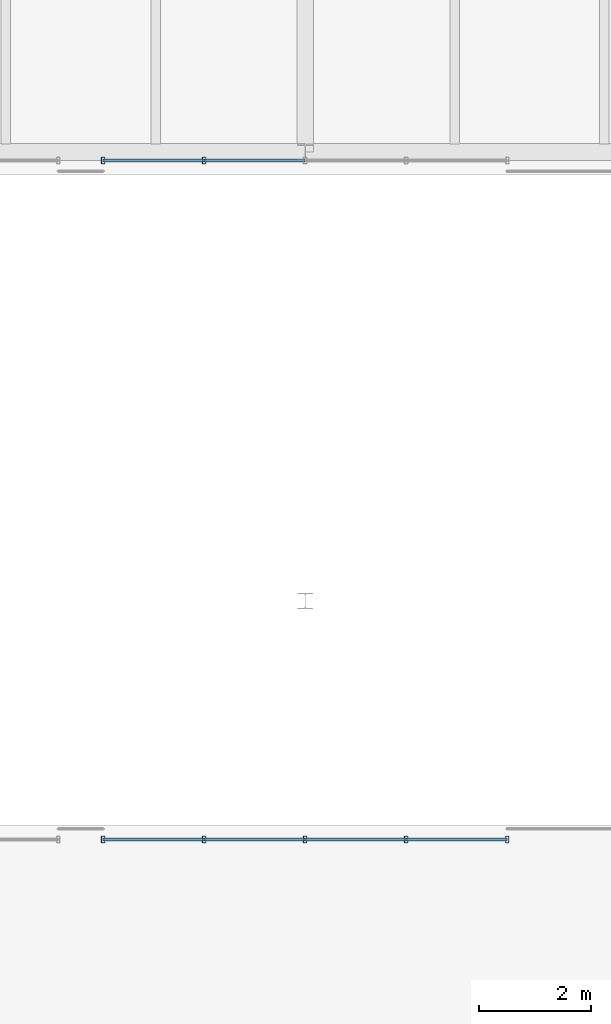
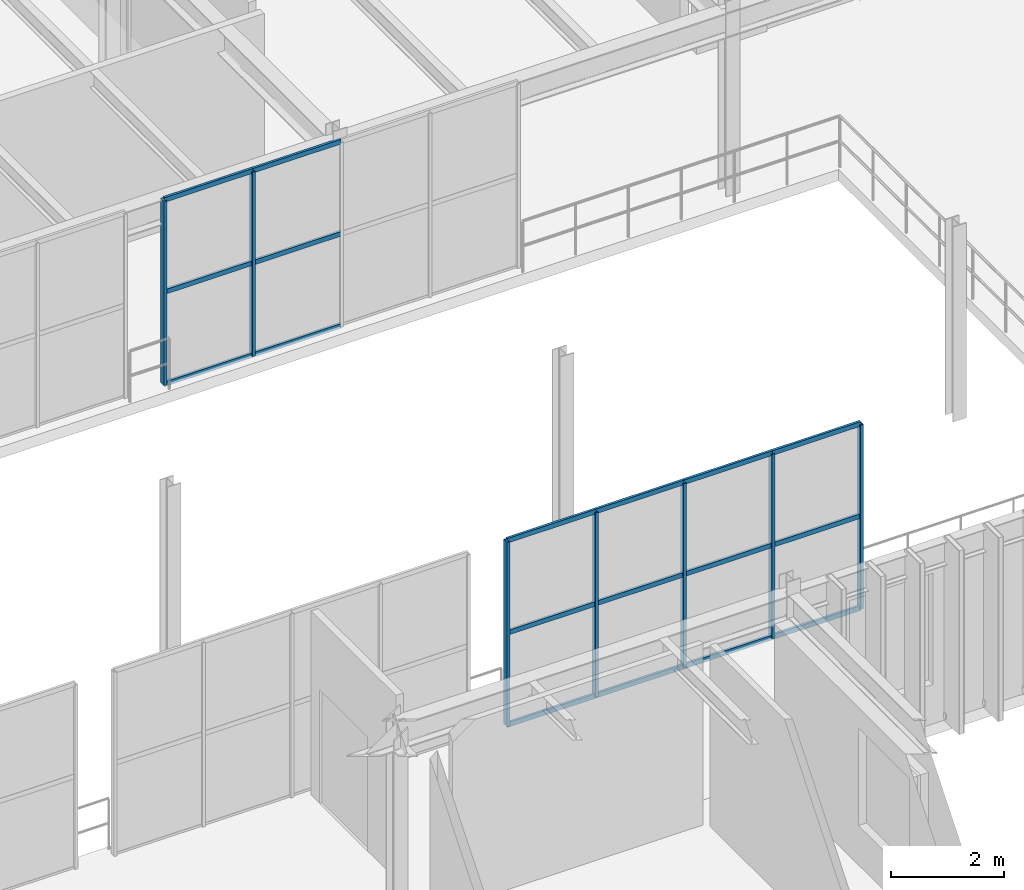
# One storey, part 47 of 122: 25 members, 2 elements without a shape of their own.
"""IFC4 building model written with IfcOpenShell, lengths in metres."""

from ifc_helpers import new_model, si_unit, direction, frame, origin, origin_2d, place, context, subcontext, project, spatial, hollow_rectangle, extrude, material, material_profile, profile_set, type_object, element, aggregate, save


model = new_model("IFC4")

# Units and contexts
model_context = context("Model", 3, precision=1e-05, world=origin(), true_north=direction((0.0, 1.0)))
body_context = subcontext(model_context, "Body", "Model", "MODEL_VIEW")
ifc_project = project(units=[si_unit("LENGTHUNIT", "METRE"), si_unit("AREAUNIT", "SQUARE_METRE"), si_unit("VOLUMEUNIT", "CUBIC_METRE"), si_unit("PLANEANGLEUNIT", "RADIAN"), si_unit("MASSUNIT", "GRAM", prefix="KILO")], contexts=[model_context])

# Site, building, storey
site_placement = place(None, origin())
site = spatial("IfcSite", under=ifc_project, at=site_placement, CompositionType="ELEMENT")
building_placement = place(site_placement, origin())
building = spatial("IfcBuilding", under=site, at=building_placement, Name="Sundkrona Museum", CompositionType="ELEMENT")
storey_placement = place(building_placement, frame((0.0, 0.0, 5.39990234375)))
storey = spatial("IfcBuildingStorey", under=building, at=storey_placement, Name="L01", CompositionType="ELEMENT", Elevation=5.39990234375)

# Curtain wall, members
ifc_material_1 = material(Name="Unitised Aluminium-Steel and Ceramic-Clad Curtain Walling", Category="steel")
curtain_wall_type = type_object("IfcCurtainWallType", Name="CW-CL-64x38", PredefinedType="NOTDEFINED", material=ifc_material_1)
curtain_wall_1_placement = place(storey_placement, origin())
curtain_wall_1 = element("IfcCurtainWall", 1, at=curtain_wall_1_placement, inside=storey, type_object=curtain_wall_type, Name="L01 Curtain Wall CW-L01-128", PredefinedType="NOTDEFINED")
ifc_material_2 = material(Name="Aluminium EN AW-6060 T66", Category="aluminium")
ifc_material_profile_1 = material_profile(ifc_material_2, hollow_rectangle(XDim=0.06005859375, YDim=0.1201171875, WallThickness=0.0048828125, at=origin_2d()), Name="RHS 120x60x5.0")
ifc_profile_set_1 = profile_set([ifc_material_profile_1], Name="Aluminium EN AW-6060 T66")
member_type_1 = type_object("IfcMemberType", Name="ML-120", PredefinedType="MULLION", material=ifc_profile_set_1)
member_1_placement = place(storey_placement, frame((36.39990234375, 81.75, -0.00390625), z_axis=(0.0, 0.0, 1.0), x_axis=(1.0, 0.0, 0.0)))
member_1 = element("IfcMember", 2, at=member_1_placement, type_object=member_type_1, Name="CW-L01-128 Mullion 01", PredefinedType="MULLION", context=body_context, shape_type="SweptSolid", body=[
    extrude(hollow_rectangle(XDim=0.06005859375, YDim=0.1201171875, WallThickness=0.0048828125, at=origin_2d()), origin(), (0.0, 0.0, 1.0), 3.968017578125),
])
member_2_placement = place(storey_placement, frame((38.199951171875, 81.75, -0.00390625), z_axis=(0.0, 0.0, 1.0), x_axis=(1.0, 0.0, 0.0)))
member_2 = element("IfcMember", 3, at=member_2_placement, type_object=member_type_1, Name="CW-L01-128 Mullion 02", PredefinedType="MULLION", context=body_context, shape_type="SweptSolid", body=[
    extrude(hollow_rectangle(XDim=0.06005859375, YDim=0.1201171875, WallThickness=0.0048828125, at=origin_2d()), origin(), (0.0, 0.0, 1.0), 3.968017578125),
])
member_3_placement = place(storey_placement, frame((40.0, 81.75, -0.00390625), z_axis=(0.0, 0.0, 1.0), x_axis=(1.0, 0.0, 0.0)))
member_3 = element("IfcMember", 4, at=member_3_placement, type_object=member_type_1, Name="CW-L01-128 Mullion 03", PredefinedType="MULLION", context=body_context, shape_type="SweptSolid", body=[
    extrude(hollow_rectangle(XDim=0.06005859375, YDim=0.1201171875, WallThickness=0.0048828125, at=origin_2d()), origin(), (0.0, 0.0, 1.0), 3.968017578125),
])
member_4_placement = place(storey_placement, frame((41.800048828125, 81.75, -0.00390625), z_axis=(0.0, 0.0, 1.0), x_axis=(1.0, 0.0, 0.0)))
member_4 = element("IfcMember", 5, at=member_4_placement, type_object=member_type_1, Name="CW-L01-128 Mullion 04", PredefinedType="MULLION", context=body_context, shape_type="SweptSolid", body=[
    extrude(hollow_rectangle(XDim=0.06005859375, YDim=0.1201171875, WallThickness=0.0048828125, at=origin_2d()), origin(), (0.0, 0.0, 1.0), 3.968017578125),
])
member_5_placement = place(storey_placement, frame((43.60009765625, 81.75, -0.00390625), z_axis=(0.0, 0.0, 1.0), x_axis=(1.0, 0.0, 0.0)))
member_5 = element("IfcMember", 6, at=member_5_placement, type_object=member_type_1, Name="CW-L01-128 Mullion 05", PredefinedType="MULLION", context=body_context, shape_type="SweptSolid", body=[
    extrude(hollow_rectangle(XDim=0.06005859375, YDim=0.1201171875, WallThickness=0.0048828125, at=origin_2d()), origin(), (0.0, 0.0, 1.0), 3.968017578125),
])

curtain_wall_2_placement = place(storey_placement, origin())
curtain_wall_2 = element("IfcCurtainWall", 7, at=curtain_wall_2_placement, inside=storey, type_object=curtain_wall_type, Name="L01 Curtain Wall CW-L01-129", PredefinedType="NOTDEFINED")
member_6_placement = place(storey_placement, frame((36.39990234375, 93.85009765625, -0.00390625), z_axis=(0.0, 0.0, 1.0), x_axis=(1.0, 0.0, 0.0)))
member_6 = element("IfcMember", 8, at=member_6_placement, type_object=member_type_1, Name="CW-L01-129 Mullion 01", PredefinedType="MULLION", context=body_context, shape_type="SweptSolid", body=[
    extrude(hollow_rectangle(XDim=0.06005859375, YDim=0.1201171875, WallThickness=0.0048828125, at=origin_2d()), origin(), (0.0, 0.0, 1.0), 3.968017578125),
])
member_7_placement = place(storey_placement, frame((38.199951171875, 93.85009765625, -0.00390625), z_axis=(0.0, 0.0, 1.0), x_axis=(1.0, 0.0, 0.0)))
member_7 = element("IfcMember", 9, at=member_7_placement, type_object=member_type_1, Name="CW-L01-129 Mullion 02", PredefinedType="MULLION", context=body_context, shape_type="SweptSolid", body=[
    extrude(hollow_rectangle(XDim=0.06005859375, YDim=0.1201171875, WallThickness=0.0048828125, at=origin_2d()), origin(), (0.0, 0.0, 1.0), 3.968017578125),
])

# Member
ifc_material_profile_2 = material_profile(ifc_material_2, hollow_rectangle(XDim=0.050048828125, YDim=0.10009765625, WallThickness=0.0048828125, at=origin_2d()), Name="RHS 100x50x5.0")
ifc_profile_set_2 = profile_set([ifc_material_profile_2], Name="Aluminium EN AW-6060 T66")
member_type_2 = type_object("IfcMemberType", Name="TR-100", PredefinedType="USERDEFINED", material=ifc_profile_set_2)
member_8_placement = place(storey_placement, frame((36.39990234375, 81.75, -0.00390625), z_axis=(1.0, 0.0, 0.0), x_axis=(0.0, 1.0, 0.0)))
member_8 = element("IfcMember", 10, at=member_8_placement, type_object=member_type_2, Name="CW-L01-128 Transom 01", ObjectType="TRANSOM", PredefinedType="USERDEFINED", context=body_context, shape_type="SweptSolid", body=[
    extrude(hollow_rectangle(XDim=0.050048828125, YDim=0.10009765625, WallThickness=0.0048828125, at=origin_2d()), origin(), (0.0, 0.0, 1.0), 1.800048828125),
])

member_9_placement = place(storey_placement, frame((36.39990234375, 81.75, 1.97998046875), z_axis=(1.0, 0.0, 0.0), x_axis=(0.0, 1.0, 0.0)))
member_9 = element("IfcMember", 11, at=member_9_placement, type_object=member_type_2, Name="CW-L01-128 Transom 02", ObjectType="TRANSOM", PredefinedType="USERDEFINED", context=body_context, shape_type="SweptSolid", body=[
    extrude(hollow_rectangle(XDim=0.050048828125, YDim=0.10009765625, WallThickness=0.0048828125, at=origin_2d()), origin(), (0.0, 0.0, 1.0), 1.800048828125),
])

member_10_placement = place(storey_placement, frame((36.39990234375, 81.75, 3.964111328125), z_axis=(1.0, 0.0, 0.0), x_axis=(0.0, 1.0, 0.0)))
member_10 = element("IfcMember", 12, at=member_10_placement, type_object=member_type_2, Name="CW-L01-128 Transom 03", ObjectType="TRANSOM", PredefinedType="USERDEFINED", context=body_context, shape_type="SweptSolid", body=[
    extrude(hollow_rectangle(XDim=0.050048828125, YDim=0.10009765625, WallThickness=0.0048828125, at=origin_2d()), origin(), (0.0, 0.0, 1.0), 1.800048828125),
])

member_11_placement = place(storey_placement, frame((38.199951171875, 81.75, -0.00390625), z_axis=(1.0, 0.0, 0.0), x_axis=(0.0, 1.0, 0.0)))
member_11 = element("IfcMember", 13, at=member_11_placement, type_object=member_type_2, Name="CW-L01-128 Transom 04", ObjectType="TRANSOM", PredefinedType="USERDEFINED", context=body_context, shape_type="SweptSolid", body=[
    extrude(hollow_rectangle(XDim=0.050048828125, YDim=0.10009765625, WallThickness=0.0048828125, at=origin_2d()), origin(), (0.0, 0.0, 1.0), 1.800048828125),
])

member_12_placement = place(storey_placement, frame((38.199951171875, 81.75, 1.97998046875), z_axis=(1.0, 0.0, 0.0), x_axis=(0.0, 1.0, 0.0)))
member_12 = element("IfcMember", 14, at=member_12_placement, type_object=member_type_2, Name="CW-L01-128 Transom 05", ObjectType="TRANSOM", PredefinedType="USERDEFINED", context=body_context, shape_type="SweptSolid", body=[
    extrude(hollow_rectangle(XDim=0.050048828125, YDim=0.10009765625, WallThickness=0.0048828125, at=origin_2d()), origin(), (0.0, 0.0, 1.0), 1.800048828125),
])

member_13_placement = place(storey_placement, frame((38.199951171875, 81.75, 3.964111328125), z_axis=(1.0, 0.0, 0.0), x_axis=(0.0, 1.0, 0.0)))
member_13 = element("IfcMember", 15, at=member_13_placement, type_object=member_type_2, Name="CW-L01-128 Transom 06", ObjectType="TRANSOM", PredefinedType="USERDEFINED", context=body_context, shape_type="SweptSolid", body=[
    extrude(hollow_rectangle(XDim=0.050048828125, YDim=0.10009765625, WallThickness=0.0048828125, at=origin_2d()), origin(), (0.0, 0.0, 1.0), 1.800048828125),
])

member_14_placement = place(storey_placement, frame((40.0, 81.75, -0.00390625), z_axis=(1.0, 0.0, 0.0), x_axis=(0.0, 1.0, 0.0)))
member_14 = element("IfcMember", 16, at=member_14_placement, type_object=member_type_2, Name="CW-L01-128 Transom 07", ObjectType="TRANSOM", PredefinedType="USERDEFINED", context=body_context, shape_type="SweptSolid", body=[
    extrude(hollow_rectangle(XDim=0.050048828125, YDim=0.10009765625, WallThickness=0.0048828125, at=origin_2d()), origin(), (0.0, 0.0, 1.0), 1.800048828125),
])

member_15_placement = place(storey_placement, frame((40.0, 81.75, 1.97998046875), z_axis=(1.0, 0.0, 0.0), x_axis=(0.0, 1.0, 0.0)))
member_15 = element("IfcMember", 17, at=member_15_placement, type_object=member_type_2, Name="CW-L01-128 Transom 08", ObjectType="TRANSOM", PredefinedType="USERDEFINED", context=body_context, shape_type="SweptSolid", body=[
    extrude(hollow_rectangle(XDim=0.050048828125, YDim=0.10009765625, WallThickness=0.0048828125, at=origin_2d()), origin(), (0.0, 0.0, 1.0), 1.800048828125),
])

member_16_placement = place(storey_placement, frame((40.0, 81.75, 3.964111328125), z_axis=(1.0, 0.0, 0.0), x_axis=(0.0, 1.0, 0.0)))
member_16 = element("IfcMember", 18, at=member_16_placement, type_object=member_type_2, Name="CW-L01-128 Transom 09", ObjectType="TRANSOM", PredefinedType="USERDEFINED", context=body_context, shape_type="SweptSolid", body=[
    extrude(hollow_rectangle(XDim=0.050048828125, YDim=0.10009765625, WallThickness=0.0048828125, at=origin_2d()), origin(), (0.0, 0.0, 1.0), 1.800048828125),
])

member_17_placement = place(storey_placement, frame((41.800048828125, 81.75, -0.00390625), z_axis=(1.0, 0.0, 0.0), x_axis=(0.0, 1.0, 0.0)))
member_17 = element("IfcMember", 19, at=member_17_placement, type_object=member_type_2, Name="CW-L01-128 Transom 10", ObjectType="TRANSOM", PredefinedType="USERDEFINED", context=body_context, shape_type="SweptSolid", body=[
    extrude(hollow_rectangle(XDim=0.050048828125, YDim=0.10009765625, WallThickness=0.0048828125, at=origin_2d()), origin(), (0.0, 0.0, 1.0), 1.800048828125),
])

member_18_placement = place(storey_placement, frame((41.800048828125, 81.75, 1.97998046875), z_axis=(1.0, 0.0, 0.0), x_axis=(0.0, 1.0, 0.0)))
member_18 = element("IfcMember", 20, at=member_18_placement, type_object=member_type_2, Name="CW-L01-128 Transom 11", ObjectType="TRANSOM", PredefinedType="USERDEFINED", context=body_context, shape_type="SweptSolid", body=[
    extrude(hollow_rectangle(XDim=0.050048828125, YDim=0.10009765625, WallThickness=0.0048828125, at=origin_2d()), origin(), (0.0, 0.0, 1.0), 1.800048828125),
])

member_19_placement = place(storey_placement, frame((41.800048828125, 81.75, 3.964111328125), z_axis=(1.0, 0.0, 0.0), x_axis=(0.0, 1.0, 0.0)))
member_19 = element("IfcMember", 21, at=member_19_placement, type_object=member_type_2, Name="CW-L01-128 Transom 12", ObjectType="TRANSOM", PredefinedType="USERDEFINED", context=body_context, shape_type="SweptSolid", body=[
    extrude(hollow_rectangle(XDim=0.050048828125, YDim=0.10009765625, WallThickness=0.0048828125, at=origin_2d()), origin(), (0.0, 0.0, 1.0), 1.800048828125),
])

aggregate(curtain_wall_1, [member_1, member_2, member_3, member_4, member_5, member_8, member_9, member_10, member_11, member_12, member_13, member_14, member_15, member_16, member_17, member_18, member_19])

member_20_placement = place(storey_placement, frame((36.39990234375, 93.85009765625, -0.00390625), z_axis=(1.0, 0.0, 0.0), x_axis=(0.0, 1.0, 0.0)))
member_20 = element("IfcMember", 22, at=member_20_placement, type_object=member_type_2, Name="CW-L01-129 Transom 01", ObjectType="TRANSOM", PredefinedType="USERDEFINED", context=body_context, shape_type="SweptSolid", body=[
    extrude(hollow_rectangle(XDim=0.050048828125, YDim=0.10009765625, WallThickness=0.0048828125, at=origin_2d()), origin(), (0.0, 0.0, 1.0), 1.800048828125),
])

member_21_placement = place(storey_placement, frame((36.39990234375, 93.85009765625, 1.97998046875), z_axis=(1.0, 0.0, 0.0), x_axis=(0.0, 1.0, 0.0)))
member_21 = element("IfcMember", 23, at=member_21_placement, type_object=member_type_2, Name="CW-L01-129 Transom 02", ObjectType="TRANSOM", PredefinedType="USERDEFINED", context=body_context, shape_type="SweptSolid", body=[
    extrude(hollow_rectangle(XDim=0.050048828125, YDim=0.10009765625, WallThickness=0.0048828125, at=origin_2d()), origin(), (0.0, 0.0, 1.0), 1.800048828125),
])

member_22_placement = place(storey_placement, frame((36.39990234375, 93.85009765625, 3.964111328125), z_axis=(1.0, 0.0, 0.0), x_axis=(0.0, 1.0, 0.0)))
member_22 = element("IfcMember", 24, at=member_22_placement, type_object=member_type_2, Name="CW-L01-129 Transom 03", ObjectType="TRANSOM", PredefinedType="USERDEFINED", context=body_context, shape_type="SweptSolid", body=[
    extrude(hollow_rectangle(XDim=0.050048828125, YDim=0.10009765625, WallThickness=0.0048828125, at=origin_2d()), origin(), (0.0, 0.0, 1.0), 1.800048828125),
])

member_23_placement = place(storey_placement, frame((38.199951171875, 93.85009765625, -0.00390625), z_axis=(1.0, 0.0, 0.0), x_axis=(0.0, 1.0, 0.0)))
member_23 = element("IfcMember", 25, at=member_23_placement, type_object=member_type_2, Name="CW-L01-129 Transom 04", ObjectType="TRANSOM", PredefinedType="USERDEFINED", context=body_context, shape_type="SweptSolid", body=[
    extrude(hollow_rectangle(XDim=0.050048828125, YDim=0.10009765625, WallThickness=0.0048828125, at=origin_2d()), origin(), (0.0, 0.0, 1.0), 1.800048828125),
])

member_24_placement = place(storey_placement, frame((38.199951171875, 93.85009765625, 1.97998046875), z_axis=(1.0, 0.0, 0.0), x_axis=(0.0, 1.0, 0.0)))
member_24 = element("IfcMember", 26, at=member_24_placement, type_object=member_type_2, Name="CW-L01-129 Transom 05", ObjectType="TRANSOM", PredefinedType="USERDEFINED", context=body_context, shape_type="SweptSolid", body=[
    extrude(hollow_rectangle(XDim=0.050048828125, YDim=0.10009765625, WallThickness=0.0048828125, at=origin_2d()), origin(), (0.0, 0.0, 1.0), 1.800048828125),
])

member_25_placement = place(storey_placement, frame((38.199951171875, 93.85009765625, 3.964111328125), z_axis=(1.0, 0.0, 0.0), x_axis=(0.0, 1.0, 0.0)))
member_25 = element("IfcMember", 27, at=member_25_placement, type_object=member_type_2, Name="CW-L01-129 Transom 06", ObjectType="TRANSOM", PredefinedType="USERDEFINED", context=body_context, shape_type="SweptSolid", body=[
    extrude(hollow_rectangle(XDim=0.050048828125, YDim=0.10009765625, WallThickness=0.0048828125, at=origin_2d()), origin(), (0.0, 0.0, 1.0), 1.800048828125),
])

aggregate(curtain_wall_2, [member_6, member_7, member_20, member_21, member_22, member_23, member_24, member_25])

save(model, "model.ifc")
